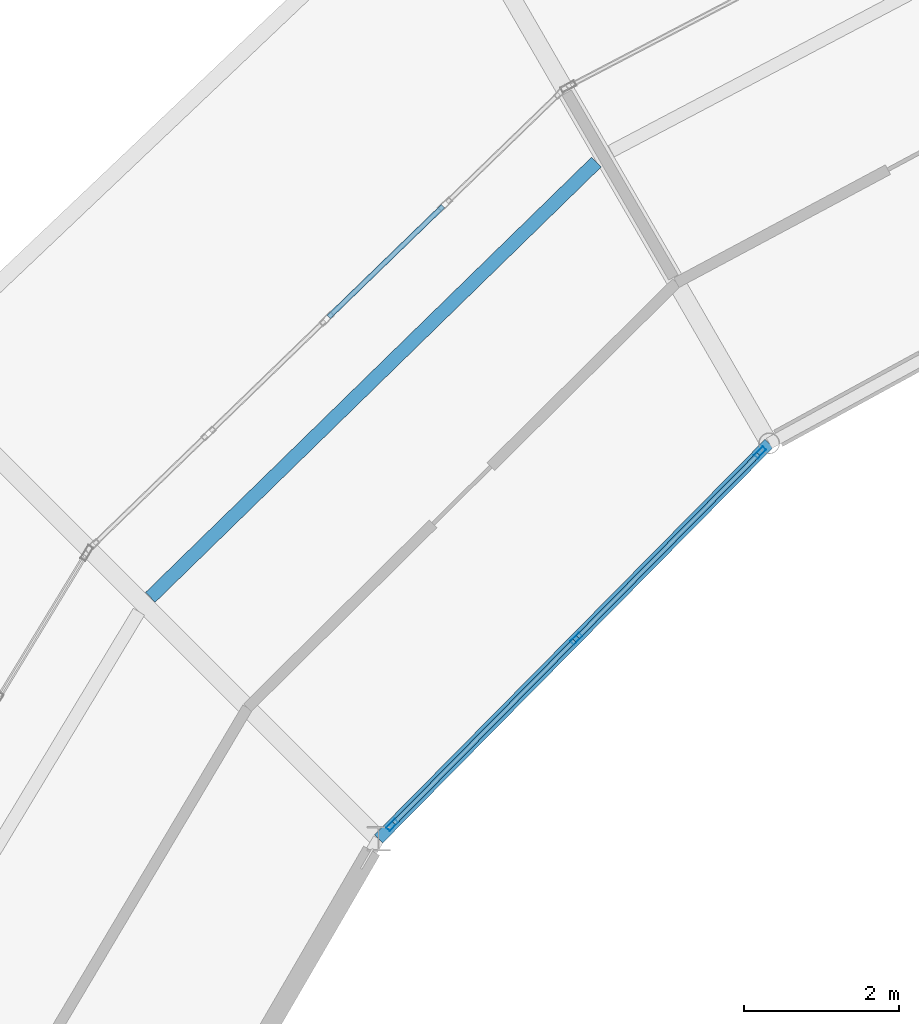
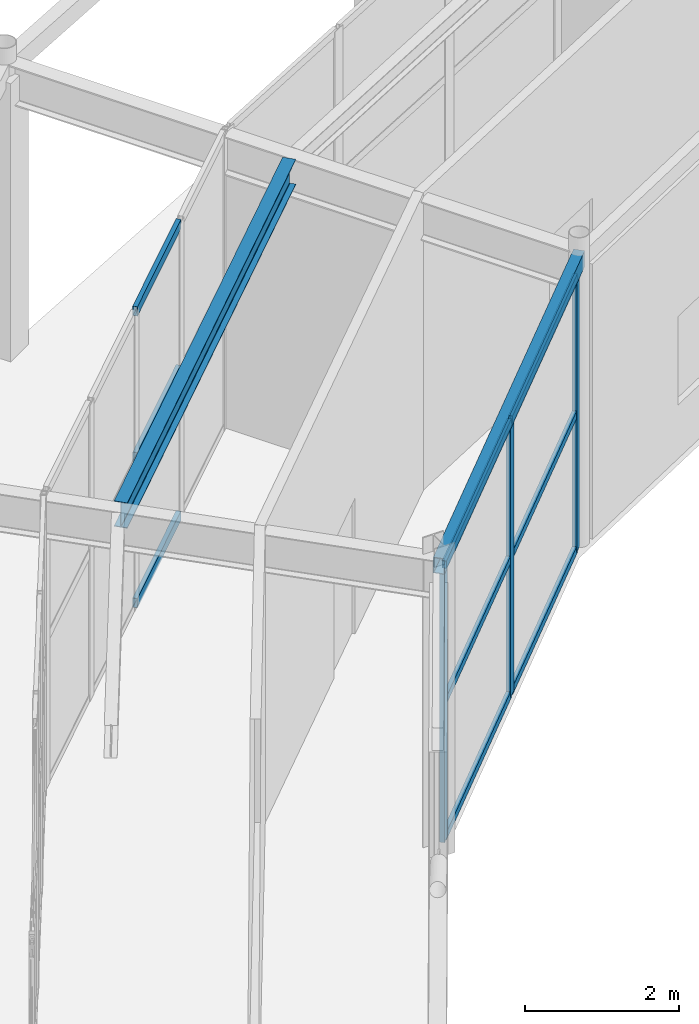
# One storey, part 78 of 144: 12 members, 2 beams, 2 elements without a shape of their own.
"""IFC4 building model written with IfcOpenShell, lengths in metres."""

from ifc_helpers import new_model, si_unit, direction, frame, origin, origin_2d, place, context, subcontext, project, spatial, hollow_rectangle, i_section, extrude, material, material_profile, profile_set, type_object, element, aggregate, save


model = new_model("IFC4")

# Units and contexts
model_context = context("Model", 3, precision=1e-05, world=origin(), true_north=direction((0.0, 1.0)))
body_context = subcontext(model_context, "Body", "Model", "MODEL_VIEW")
ifc_project = project(units=[si_unit("LENGTHUNIT", "METRE"), si_unit("AREAUNIT", "SQUARE_METRE"), si_unit("VOLUMEUNIT", "CUBIC_METRE"), si_unit("PLANEANGLEUNIT", "RADIAN"), si_unit("MASSUNIT", "GRAM", prefix="KILO")], contexts=[model_context])

# Site, building, storey
site_placement = place(None, origin())
site = spatial("IfcSite", under=ifc_project, at=site_placement, CompositionType="ELEMENT")
building_placement = place(site_placement, origin())
building = spatial("IfcBuilding", under=site, at=building_placement, Name="Karori Crest Natural Sciences Institute", CompositionType="ELEMENT")
storey_placement = place(building_placement, origin())
storey = spatial("IfcBuildingStorey", under=building, at=storey_placement, Name="L00", CompositionType="ELEMENT", Elevation=0.0)

# Beams
ifc_material_1 = material(Name="Hollow structural steel AS/NZS 1163 Grade C350", Category="steel")
ifc_material_profile_1 = material_profile(ifc_material_1, hollow_rectangle(XDim=0.14990234375, YDim=0.25, WallThickness=0.009033203125, at=origin_2d()), Name="RHS250x150x9")
ifc_profile_set_1 = profile_set([ifc_material_profile_1], Name="Hollow structural steel AS/NZS 1163 Grade C350")
beam_type_1 = type_object("IfcBeamType", Name="BT-16", PredefinedType="SPANDREL", material=ifc_profile_set_1)
beam_1_placement = place(storey_placement, frame((54.199951171875, 77.785888671875, 4.489990234375), z_axis=(-0.70266285879, -0.711522948946, 0.0), x_axis=(0.711522948946, -0.70266285879, 0.0)))
element("IfcBeam", 1, at=beam_1_placement, inside=storey, type_object=beam_type_1, Name="Beam B-0122", PredefinedType="SPANDREL", context=body_context, shape_type="SweptSolid", body=[
    extrude(hollow_rectangle(XDim=0.14990234375, YDim=0.25, WallThickness=0.009033203125, at=origin_2d()), origin(), (0.0, 0.0, 1.0), 7.19189453125),
])
ifc_material_2 = material(Name="Structural steel AS/NZS 3679.1 Grade 350", Category="steel")
ifc_material_profile_2 = material_profile(ifc_material_2, i_section(OverallWidth=0.177978515625, OverallDepth=0.403076171875, WebThickness=0.007568359375, FlangeThickness=0.010986328125, FilletRadius=0.010986328125, at=origin_2d()), Name="410UB53.7")
ifc_profile_set_2 = profile_set([ifc_material_profile_2], Name="Structural steel AS/NZS 3679.1 Grade 350")
beam_type_2 = type_object("IfcBeamType", Name="BT-29", PredefinedType="BEAM", material=ifc_profile_set_2)
beam_2_placement = place(storey_placement, frame((51.964111328125, 81.426025390625, 4.4384765625), z_axis=(-0.715696324431, -0.698411605857, 0.0), x_axis=(0.698411605857, -0.715696324431, 0.0)))
element("IfcBeam", 2, at=beam_2_placement, inside=storey, type_object=beam_type_2, Name="Beam B-0124", PredefinedType="BEAM", context=body_context, shape_type="SweptSolid", body=[
    extrude(i_section(OverallWidth=0.177978515625, OverallDepth=0.403076171875, WebThickness=0.007568359375, FlangeThickness=0.010986328125, FilletRadius=0.010986328125, at=origin_2d()), origin(), (0.0, 0.0, 1.0), 8.065185546875),
])

# Curtain wall, members
ifc_material_3 = material(Name="Anodised architectural aluminium 6063-T6", Category="aluminium")
curtain_wall_type_1 = type_object("IfcCurtainWallType", Name="CWT-14", PredefinedType="NOTDEFINED", material=ifc_material_3)
curtain_wall_1_placement = place(storey_placement, origin())
curtain_wall_1 = element("IfcCurtainWall", 3, at=curtain_wall_1_placement, inside=storey, type_object=curtain_wall_type_1, Name="Curtain wall CW-0011", PredefinedType="NOTDEFINED")
ifc_material_profile_3 = material_profile(ifc_material_3, hollow_rectangle(XDim=0.06494140625, YDim=0.159912109375, WallThickness=0.00390625, at=origin_2d()), Name="CWM160x65x4")
ifc_profile_set_3 = profile_set([ifc_material_profile_3], Name="Anodised architectural aluminium 6063-T6")
member_type_1 = type_object("IfcMemberType", Name="CWM-01", PredefinedType="MULLION", material=ifc_profile_set_3)
member_1_placement = place(storey_placement, frame((54.082763671875, 77.667236328125, 0.0), z_axis=(0.0, 0.0, 1.0), x_axis=(0.71152941525, -0.70265631089, 0.0)))
member_1 = element("IfcMember", 4, at=member_1_placement, type_object=member_type_1, Name="CW-0011 mullion 1", PredefinedType="MULLION", context=body_context, shape_type="SweptSolid", body=[
    extrude(hollow_rectangle(XDim=0.06494140625, YDim=0.159912109375, WallThickness=0.00390625, at=origin_2d()), origin(), (0.0, 0.0, 1.0), 4.35009765625),
])
member_2_placement = place(storey_placement, frame((51.7021484375, 75.256591796875, 0.0), z_axis=(0.0, 0.0, 1.0), x_axis=(0.71152941525, -0.70265631089, 0.0)))
member_2 = element("IfcMember", 5, at=member_2_placement, type_object=member_type_1, Name="CW-0011 mullion 2", PredefinedType="MULLION", context=body_context, shape_type="SweptSolid", body=[
    extrude(hollow_rectangle(XDim=0.06494140625, YDim=0.159912109375, WallThickness=0.00390625, at=origin_2d()), origin(), (0.0, 0.0, 1.0), 4.35009765625),
])
member_3_placement = place(storey_placement, frame((49.321533203125, 72.845947265625, 0.0), z_axis=(0.0, 0.0, 1.0), x_axis=(0.71152941525, -0.70265631089, 0.0)))
member_3 = element("IfcMember", 6, at=member_3_placement, type_object=member_type_1, Name="CW-0011 mullion 3", PredefinedType="MULLION", context=body_context, shape_type="SweptSolid", body=[
    extrude(hollow_rectangle(XDim=0.06494140625, YDim=0.159912109375, WallThickness=0.00390625, at=origin_2d()), origin(), (0.0, 0.0, 1.0), 4.35009765625),
])
ifc_material_profile_4 = material_profile(ifc_material_3, hollow_rectangle(XDim=0.06005859375, YDim=0.1201171875, WallThickness=0.00390625, at=origin_2d()), Name="CWT120x60x4")
ifc_profile_set_4 = profile_set([ifc_material_profile_4], Name="Anodised architectural aluminium 6063-T6")
member_type_2 = type_object("IfcMemberType", Name="CWT-TR1", PredefinedType="USERDEFINED", material=ifc_profile_set_4)
member_4_placement = place(storey_placement, frame((54.059814453125, 77.64404296875, 0.030029296875), z_axis=(-0.702684728982, -0.711501350424, 0.0), x_axis=(0.711501350424, -0.702684728982, 0.0)))
member_4 = element("IfcMember", 7, at=member_4_placement, type_object=member_type_2, Name="CW-0011 transom 1.1", ObjectType="TRANSOM", PredefinedType="USERDEFINED", context=body_context, shape_type="SweptSolid", body=[
    extrude(hollow_rectangle(XDim=0.06005859375, YDim=0.1201171875, WallThickness=0.00390625, at=origin_2d()), origin(), (0.0, 0.0, 1.0), 3.322998046875),
])
member_5_placement = place(storey_placement, frame((54.059814453125, 77.64404296875, 2.175048828125), z_axis=(-0.702684728982, -0.711501350424, 0.0), x_axis=(0.711501350424, -0.702684728982, 0.0)))
member_5 = element("IfcMember", 8, at=member_5_placement, type_object=member_type_2, Name="CW-0011 transom 1.2", ObjectType="TRANSOM", PredefinedType="USERDEFINED", context=body_context, shape_type="SweptSolid", body=[
    extrude(hollow_rectangle(XDim=0.06005859375, YDim=0.1201171875, WallThickness=0.00390625, at=origin_2d()), origin(), (0.0, 0.0, 1.0), 3.322998046875),
])
member_6_placement = place(storey_placement, frame((54.059814453125, 77.64404296875, 4.320068359375), z_axis=(-0.702684728982, -0.711501350424, 0.0), x_axis=(0.711501350424, -0.702684728982, 0.0)))
member_6 = element("IfcMember", 9, at=member_6_placement, type_object=member_type_2, Name="CW-0011 transom 1.3", ObjectType="TRANSOM", PredefinedType="USERDEFINED", context=body_context, shape_type="SweptSolid", body=[
    extrude(hollow_rectangle(XDim=0.06005859375, YDim=0.1201171875, WallThickness=0.00390625, at=origin_2d()), origin(), (0.0, 0.0, 1.0), 3.322998046875),
])
member_7_placement = place(storey_placement, frame((51.67919921875, 75.2333984375, 0.030029296875), z_axis=(-0.702647532142, -0.711538084416, 0.0), x_axis=(0.711538084416, -0.702647532142, 0.0)))
member_7 = element("IfcMember", 10, at=member_7_placement, type_object=member_type_2, Name="CW-0011 transom 2.1", ObjectType="TRANSOM", PredefinedType="USERDEFINED", context=body_context, shape_type="SweptSolid", body=[
    extrude(hollow_rectangle(XDim=0.06005859375, YDim=0.1201171875, WallThickness=0.00390625, at=origin_2d()), origin(), (0.0, 0.0, 1.0), 3.32275390625),
])
member_8_placement = place(storey_placement, frame((51.67919921875, 75.2333984375, 2.175048828125), z_axis=(-0.702647532142, -0.711538084416, 0.0), x_axis=(0.711538084416, -0.702647532142, 0.0)))
member_8 = element("IfcMember", 11, at=member_8_placement, type_object=member_type_2, Name="CW-0011 transom 2.2", ObjectType="TRANSOM", PredefinedType="USERDEFINED", context=body_context, shape_type="SweptSolid", body=[
    extrude(hollow_rectangle(XDim=0.06005859375, YDim=0.1201171875, WallThickness=0.00390625, at=origin_2d()), origin(), (0.0, 0.0, 1.0), 3.32275390625),
])
member_9_placement = place(storey_placement, frame((51.67919921875, 75.2333984375, 4.320068359375), z_axis=(-0.702647532142, -0.711538084416, 0.0), x_axis=(0.711538084416, -0.702647532142, 0.0)))
member_9 = element("IfcMember", 12, at=member_9_placement, type_object=member_type_2, Name="CW-0011 transom 2.3", ObjectType="TRANSOM", PredefinedType="USERDEFINED", context=body_context, shape_type="SweptSolid", body=[
    extrude(hollow_rectangle(XDim=0.06005859375, YDim=0.1201171875, WallThickness=0.00390625, at=origin_2d()), origin(), (0.0, 0.0, 1.0), 3.32275390625),
])
aggregate(curtain_wall_1, [member_1, member_2, member_3, member_4, member_5, member_6, member_7, member_8, member_9])

curtain_wall_type_2 = type_object("IfcCurtainWallType", Name="CWT-09", PredefinedType="NOTDEFINED", material=ifc_material_3)
curtain_wall_2_placement = place(storey_placement, origin())
curtain_wall_2 = element("IfcCurtainWall", 13, at=curtain_wall_2_placement, inside=storey, type_object=curtain_wall_type_2, Name="Curtain wall CW-0010", PredefinedType="NOTDEFINED")
ifc_material_profile_5 = material_profile(ifc_material_3, hollow_rectangle(XDim=0.06494140625, YDim=0.14990234375, WallThickness=0.00390625, at=origin_2d()), Name="CWT150x65x4")
ifc_profile_set_5 = profile_set([ifc_material_profile_5], Name="Anodised architectural aluminium 6063-T6")
member_type_3 = type_object("IfcMemberType", Name="CWT-TR2", PredefinedType="USERDEFINED", material=ifc_profile_set_5)
member_10_placement = place(storey_placement, frame((48.50146484375, 79.42236328125, 0.032470703125), z_axis=(0.718180876669, 0.695856471111, 0.0), x_axis=(-0.695856471111, 0.718180876669, 0.0)))
member_10 = element("IfcMember", 14, at=member_10_placement, type_object=member_type_3, Name="CW-0010 transom 3.1", ObjectType="TRANSOM", PredefinedType="USERDEFINED", context=body_context, shape_type="SweptSolid", body=[
    extrude(hollow_rectangle(XDim=0.06494140625, YDim=0.14990234375, WallThickness=0.00390625, at=origin_2d()), origin(), (0.0, 0.0, 1.0), 2.055908203125),
])
member_11_placement = place(storey_placement, frame((48.50146484375, 79.42236328125, 2.340087890625), z_axis=(0.718180876669, 0.695856471111, 0.0), x_axis=(-0.695856471111, 0.718180876669, 0.0)))
member_11 = element("IfcMember", 15, at=member_11_placement, type_object=member_type_3, Name="CW-0010 transom 3.2", ObjectType="TRANSOM", PredefinedType="USERDEFINED", context=body_context, shape_type="SweptSolid", body=[
    extrude(hollow_rectangle(XDim=0.06494140625, YDim=0.14990234375, WallThickness=0.00390625, at=origin_2d()), origin(), (0.0, 0.0, 1.0), 2.055908203125),
])
member_12_placement = place(storey_placement, frame((48.50146484375, 79.42236328125, 4.6474609375), z_axis=(0.718180876669, 0.695856471111, 0.0), x_axis=(-0.695856471111, 0.718180876669, 0.0)))
member_12 = element("IfcMember", 16, at=member_12_placement, type_object=member_type_3, Name="CW-0010 transom 3.3", ObjectType="TRANSOM", PredefinedType="USERDEFINED", context=body_context, shape_type="SweptSolid", body=[
    extrude(hollow_rectangle(XDim=0.06494140625, YDim=0.14990234375, WallThickness=0.00390625, at=origin_2d()), origin(), (0.0, 0.0, 1.0), 2.055908203125),
])
aggregate(curtain_wall_2, [member_10, member_11, member_12])

save(model, "model.ifc")
